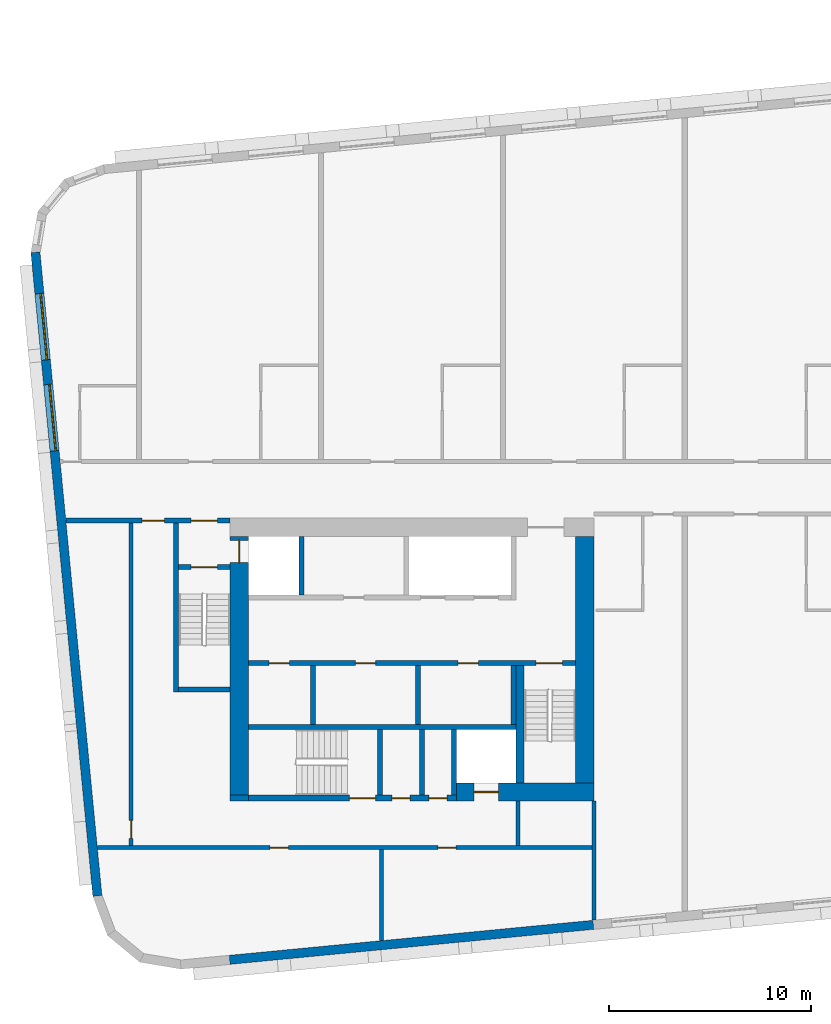
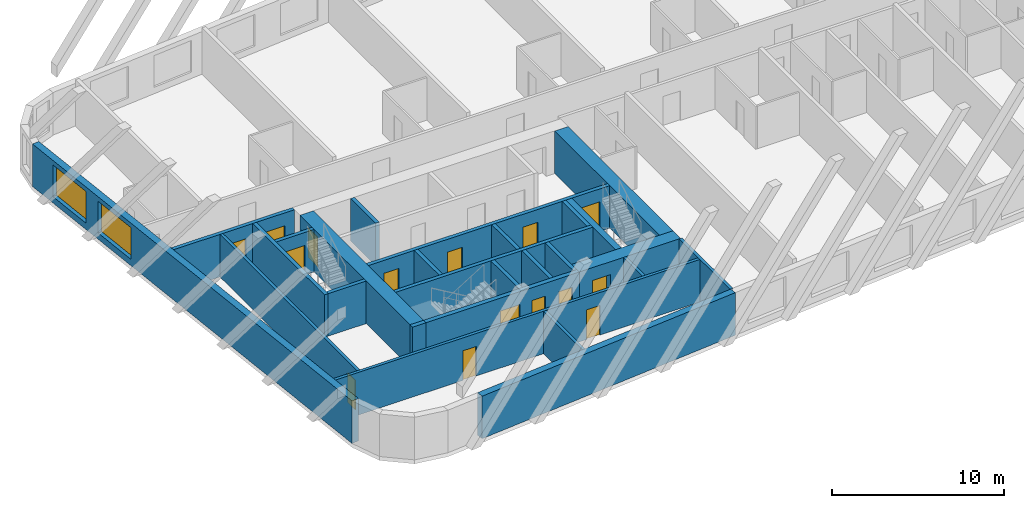
# One storey, part 2 of 12: 26 walls, 15 doors, 2 windows, 17 openings.
"""IFC4 building model written with IfcOpenShell, lengths in metres."""

import ifcopenshell
import ifcopenshell.guid

model = None  # the IFC model being written
_history = None  # IfcOwnerHistory: only IFC2X3 demands one
_inside = {}  # id of a spatial element -> (the spatial element, [elements in it])
_under = {}  # id of a project, library or spatial element -> (it, [spatial elements below it])
_declared = {}  # id of a project -> (the project, [libraries it declares])
_typed = {}  # id of a type object -> (the type object, [elements of that type])
_made_of = {}  # id of a material, layer set ... -> (it, [elements and type objects made of it])


def new_model(schema):
    """Start an empty IFC model of exactly this schema.

    Asked for "IFC4X3", IfcOpenShell would pick the latest addendum, in which some entities
    have other attributes; the version numbers below select the first issue.
    IFC2X3 requires an IfcOwnerHistory on every rooted entity: one is made here for all.
    """
    global model, _history
    if schema == "IFC4X3":
        model = ifcopenshell.file(schema_version=(4, 3, 0, 0))
    else:
        model = ifcopenshell.file(schema=schema)
    _inside.clear()
    _under.clear()
    _declared.clear()
    _typed.clear()
    _made_of.clear()
    _history = None
    if model.schema == "IFC2X3":
        org = make("IfcOrganization", Name="unknown")
        user = make(
            "IfcPersonAndOrganization",
            ThePerson=make("IfcPerson", FamilyName="unknown"),
            TheOrganization=org,
        )
        app = make(
            "IfcApplication",
            ApplicationDeveloper=org,
            Version="unknown",
            ApplicationFullName="unknown",
            ApplicationIdentifier="unknown",
        )
        _history = make(
            "IfcOwnerHistory",
            OwningUser=user,
            OwningApplication=app,
            ChangeAction="ADDED",
            CreationDate=0,
        )
    return model


def make(cls, **values):
    """One entity of the class cls with the attributes given. An attribute that is None is left unset."""
    return model.create_entity(
        cls, **{name: value for name, value in values.items() if value is not None}
    )


def rooted(cls, **values):
    """An entity with a GlobalId (a new one), such as an element, a storey or a relation."""
    return make(cls, GlobalId=ifcopenshell.guid.new(), OwnerHistory=_history, **values)


def si_unit(unit_type, name, prefix=None):
    """IfcSIUnit, for example si_unit("LENGTHUNIT", "METRE", prefix="MILLI")."""
    return make("IfcSIUnit", UnitType=unit_type, Prefix=prefix, Name=name)


def assignment(units):
    """IfcUnitAssignment: the units of a project."""
    return None if units is None else make("IfcUnitAssignment", Units=units)


def point(xyz):
    """IfcCartesianPoint."""
    return None if xyz is None else make("IfcCartesianPoint", Coordinates=xyz)


def direction(xyz):
    """IfcDirection."""
    return None if xyz is None else make("IfcDirection", DirectionRatios=xyz)


def frame(location, z_axis=None, x_axis=None):
    """IfcAxis2Placement3D, a coordinate frame: its origin and axes. An axis left out is left unset."""
    return make(
        "IfcAxis2Placement3D",
        Location=point(location),
        Axis=direction(z_axis),
        RefDirection=direction(x_axis),
    )


def frame_2d(location, x_axis=None):
    """IfcAxis2Placement2D, a coordinate frame in the plane: its origin and x axis."""
    return make(
        "IfcAxis2Placement2D", Location=point(location), RefDirection=direction(x_axis)
    )


def origin():
    """The frame at (0, 0, 0) with its axes left unset."""
    return frame((0.0, 0.0, 0.0))


def place(relative_to, where):
    """IfcLocalPlacement: puts the frame where relative to a parent placement (None: the world)."""
    return make(
        "IfcLocalPlacement", PlacementRelTo=relative_to, RelativePlacement=where
    )


def context(
    kind, dimensions, precision=None, world=None, true_north=None, identifier=None
):
    """IfcGeometricRepresentationContext, for example the 3D "Model" context."""
    return make(
        "IfcGeometricRepresentationContext",
        ContextIdentifier=identifier,
        ContextType=kind,
        CoordinateSpaceDimension=dimensions,
        Precision=precision,
        WorldCoordinateSystem=world,
        TrueNorth=true_north,
    )


def subcontext(parent, identifier, kind, view, scale=None):
    """IfcGeometricRepresentationSubContext, for example "Body" below "Model"."""
    return make(
        "IfcGeometricRepresentationSubContext",
        ContextIdentifier=identifier,
        ContextType=kind,
        ParentContext=parent,
        TargetScale=scale,
        TargetView=view,
    )


def project(units=None, contexts=None):
    """IfcProject with its units and contexts."""
    return rooted(
        "IfcProject",
        Name="project",
        RepresentationContexts=contexts,
        UnitsInContext=assignment(units),
    )


def spatial(cls, under=None, at=None, **own):
    """A site, building, storey or space (cls), placed at a placement, below another one or the project."""
    s = rooted(cls, ObjectPlacement=at, **own)
    if under is not None:
        _under.setdefault(under.id(), (under, []))[1].append(s)
    return s


def profile(cls, at=None, kind="AREA", **sizes):
    """A parametric profile (cls). Its sizes go by their IFC names, for example OverallWidth=200.0."""
    return make(cls, ProfileType=kind, Position=at, **sizes)


def rectangle(**sizes):
    """IfcRectangleProfileDef."""
    return profile("IfcRectangleProfileDef", **sizes)


def extrude(swept, where, along, depth):
    """IfcExtrudedAreaSolid: the profile swept, set in the frame where, extruded along a direction by depth."""
    return make(
        "IfcExtrudedAreaSolid",
        SweptArea=swept,
        Position=where,
        ExtrudedDirection=direction(along),
        Depth=depth,
    )


def shape(context_of_items, identifier, shape_type, items):
    """IfcShapeRepresentation: the items that make up one representation, for example the "Body"."""
    return make(
        "IfcShapeRepresentation",
        ContextOfItems=context_of_items,
        RepresentationIdentifier=identifier,
        RepresentationType=shape_type,
        Items=items,
    )


def material(Name=None, Category=None):
    """IfcMaterial."""
    return make("IfcMaterial", Name=Name, Category=Category)


def layer(
    of_material, thickness, ventilated=None, Name=None, Category=None, Priority=None
):
    """IfcMaterialLayer: one layer of a wall or slab, of a material (None: an air gap)."""
    return make(
        "IfcMaterialLayer",
        Material=of_material,
        LayerThickness=thickness,
        IsVentilated=ventilated,
        Name=Name,
        Category=Category,
        Priority=Priority,
    )


def layer_set(layers, Name=None):
    """IfcMaterialLayerSet."""
    return make("IfcMaterialLayerSet", MaterialLayers=layers, LayerSetName=Name)


def made_of(thing, what):
    """Note that an element or type object is made of a material, layer set ...; save() writes the relation."""
    if what is not None:
        _made_of.setdefault(what.id(), (what, []))[1].append(thing)
    return thing


def type_object(cls, material=None, **own):
    """A type object (cls), such as IfcWallType, which elements share."""
    return made_of(rooted(cls, **own), material)


def element(
    cls,
    number,
    at=None,
    inside=None,
    cuts=None,
    type_object=None,
    material=None,
    context=None,
    identifier="Body",
    shape_type=None,
    held_by="IfcProductDefinitionShape",
    body=None,
    shapes=None,
    **own,
):
    """One element of the class cls, such as IfcWall. Its Tag is "e" and its number.

    at: its placement. inside: the storey or other place that contains it. cuts: it is an
    opening in that element (IfcRelVoidsElement). A single representation is given by context,
    identifier, shape_type and body (its items); several are given by shapes. held_by: the class
    of the entity that holds the representations. save() writes the other relations.
    """
    e = rooted(cls, Tag="e%d" % number, ObjectPlacement=at, **own)
    if body is not None:
        shapes = [shape(context, identifier, shape_type, body)]
    if shapes is not None:
        e.Representation = make(held_by, Representations=shapes)
    if inside is not None:
        _inside.setdefault(inside.id(), (inside, []))[1].append(e)
    if cuts is not None:
        rooted(
            "IfcRelVoidsElement", RelatingBuildingElement=cuts, RelatedOpeningElement=e
        )
    if type_object is not None:
        _typed.setdefault(type_object.id(), (type_object, []))[1].append(e)
    return made_of(e, material)


def fill(opening, filler):
    """IfcRelFillsElement: the door or window that sits in an opening."""
    return rooted(
        "IfcRelFillsElement",
        RelatingOpeningElement=opening,
        RelatedBuildingElement=filler,
    )


def aggregate(whole, parts):
    """IfcRelAggregates: a whole, such as a stair, and the parts it consists of."""
    return rooted("IfcRelAggregates", RelatingObject=whole, RelatedObjects=parts)


def save(model, path):
    """Write the relations noted so far, then the file.

    IfcRelAggregates (storeys below a building ...), IfcRelContainedInSpatialStructure (elements
    in a storey), IfcRelDefinesByType, IfcRelAssociatesMaterial and IfcRelDeclares: one each for
    every whole, place, type object, material and project.
    """
    for whole, parts in _under.values():
        aggregate(whole, parts)
    for where, things in _inside.values():
        rooted(
            "IfcRelContainedInSpatialStructure",
            RelatedElements=things,
            RelatingStructure=where,
        )
    for kind, things in _typed.values():
        rooted("IfcRelDefinesByType", RelatedObjects=things, RelatingType=kind)
    for what, things in _made_of.values():
        rooted("IfcRelAssociatesMaterial", RelatedObjects=things, RelatingMaterial=what)
    for by, libraries in _declared.values():
        rooted("IfcRelDeclares", RelatingContext=by, RelatedDefinitions=libraries)
    model.write(path)


model = new_model("IFC4")

# Units and contexts
model_context = context("Model", 3, precision=1e-05, world=origin(), true_north=direction((0.0, 1.0)))
body_context = subcontext(model_context, "Body", "Model", "MODEL_VIEW")
ifc_project = project(units=[si_unit("LENGTHUNIT", "METRE"), si_unit("AREAUNIT", "SQUARE_METRE"), si_unit("VOLUMEUNIT", "CUBIC_METRE"), si_unit("PLANEANGLEUNIT", "RADIAN"), si_unit("MASSUNIT", "GRAM", prefix="KILO")], contexts=[model_context])

# Site, building, storey
site_placement = place(None, origin())
site = spatial("IfcSite", under=ifc_project, at=site_placement, CompositionType="ELEMENT")
building_placement = place(site_placement, origin())
building = spatial("IfcBuilding", under=site, at=building_placement, Name="Kajstack Hotel Tower", CompositionType="ELEMENT")
storey_placement = place(building_placement, frame((0.0, 0.0, 278.39990234375)))
storey = spatial("IfcBuildingStorey", under=building, at=storey_placement, Name="L69", CompositionType="ELEMENT", Elevation=278.39990234375)

# Wall, opening, door
ifc_material_1 = material(Name="Concrete C60/75", Category="concrete")
ifc_layer_1 = layer(ifc_material_1, 0.89990234375)
ifc_layer_set_1 = layer_set([ifc_layer_1], Name="Core wall 900")
wall_type_1 = type_object("IfcWallType", Name="Core wall 900", PredefinedType="SHEAR", material=ifc_layer_set_1)
wall_1_placement = place(storey_placement, frame((-20.300048828125, -15.050048828125, 0.0), z_axis=(0.0, 0.0, 1.0), x_axis=(1.0, 0.0, 0.0)))
wall_1 = element("IfcWall", 1, at=wall_1_placement, inside=storey, type_object=wall_type_1, Name="Core wall W RS", PredefinedType="SHEAR", context=body_context, shape_type="SweptSolid", body=[
    extrude(rectangle(XDim=6.800048828125, YDim=0.89990234375, at=frame_2d((3.39990234375, 0.0))), origin(), (0.0, 0.0, 1.0), 3.02001953125),
])
opening_1_placement = place(wall_1_placement, frame((0.875, 0.0, 0.0)))
opening_1 = element("IfcOpeningElement", 2, at=opening_1_placement, cuts=wall_1, Name="Opening LD-SV1", PredefinedType="OPENING", context=body_context, shape_type="SweptSolid", body=[
    extrude(rectangle(XDim=1.199951171875, YDim=2.10009765625, at=frame_2d((0.60009765625, 1.050048828125))), frame((0.0, 0.4599609375, 0.0), z_axis=(0.0, -1.0, 0.0), x_axis=(1.0, 0.0, 0.0)), (0.0, 0.0, 1.0), 0.919921875),
])
ifc_material_2 = material(Name="Stainless steel", Category="steel")
door_type_1 = type_object("IfcDoorType", Name="Lift landing door 1200", OperationType="SLIDING_TO_LEFT", PredefinedType="DOOR", material=ifc_material_2)
door_1_placement = place(opening_1_placement, origin())
door_1 = element("IfcDoor", 3, at=door_1_placement, inside=storey, type_object=door_type_1, Name="Landing door SV1", OperationType="SLIDING_TO_LEFT", OverallHeight=2.10009765625, OverallWidth=1.199951171875, PredefinedType="DOOR", context=body_context, shape_type="SweptSolid", body=[
    extrude(rectangle(XDim=1.199951171875, YDim=2.10009765625, at=frame_2d((0.60009765625, 1.050048828125))), frame((0.0, 0.02490234375, 0.0), z_axis=(0.0, -1.0, 0.0), x_axis=(1.0, 0.0, 0.0)), (0.0, 0.0, 1.0), 0.050048828125),
])
fill(opening_1, door_1)

# Wall
wall_2_placement = place(storey_placement, frame((-31.5, -15.35009765625, 0.0), z_axis=(0.0, 0.0, 1.0), x_axis=(1.0, 0.0, 0.0)))
element("IfcWall", 4, at=wall_2_placement, inside=storey, type_object=wall_type_1, Name="Core wall W RSW", PredefinedType="SHEAR", context=body_context, shape_type="SweptSolid", body=[
    extrude(rectangle(XDim=0.89990234375, YDim=0.300048828125, at=frame_2d((0.449951171875, 0.0))), origin(), (0.0, 0.0, 1.0), 3.02001953125),
])

# Wall, opening, door
wall_3_placement = place(storey_placement, frame((-31.050048828125, -15.199951171875, 0.0), z_axis=(0.0, 0.0, 1.0), x_axis=(0.0, 1.0, 0.0)))
wall_3 = element("IfcWall", 5, at=wall_3_placement, inside=storey, type_object=wall_type_1, Name="Core wall W RW", PredefinedType="SHEAR", context=body_context, shape_type="SweptSolid", body=[
    extrude(rectangle(XDim=12.800048828125, YDim=0.89990234375, at=frame_2d((6.39990234375, 0.0))), origin(), (0.0, 0.0, 1.0), 3.02001953125),
])
opening_2_placement = place(wall_3_placement, frame((11.5, 0.0, 0.0)))
opening_2 = element("IfcOpeningElement", 6, at=opening_2_placement, cuts=wall_3, Name="Opening LD-FF1", PredefinedType="OPENING", context=body_context, shape_type="SweptSolid", body=[
    extrude(rectangle(XDim=1.10009765625, YDim=2.10009765625, at=frame_2d((0.550048828125, 1.050048828125))), frame((0.0, 0.4599609375, 0.0), z_axis=(0.0, -1.0, 0.0), x_axis=(1.0, 0.0, 0.0)), (0.0, 0.0, 1.0), 0.919921875),
])
door_type_2 = type_object("IfcDoorType", Name="Fire-fighting lift landing door 1100", OperationType="SLIDING_TO_LEFT", PredefinedType="DOOR", material=ifc_material_2)
door_2_placement = place(opening_2_placement, origin())
door_2 = element("IfcDoor", 7, at=door_2_placement, inside=storey, type_object=door_type_2, Name="Landing door FF1", OperationType="SLIDING_TO_RIGHT", OverallHeight=2.10009765625, OverallWidth=1.10009765625, PredefinedType="DOOR", context=body_context, shape_type="SweptSolid", body=[
    extrude(rectangle(XDim=1.10009765625, YDim=2.10009765625, at=frame_2d((0.550048828125, 1.050048828125))), frame((0.0, 0.02490234375, 0.0), z_axis=(0.0, -1.0, 0.0), x_axis=(1.0, 0.0, 0.0)), (0.0, 0.0, 1.0), 0.050048828125),
])
fill(opening_2, door_2)

# Walls
wall_4_placement = place(storey_placement, frame((-13.949951171875, -14.60009765625, 0.0), z_axis=(0.0, 0.0, 1.0), x_axis=(0.0, 1.0, 0.0)))
element("IfcWall", 8, at=wall_4_placement, inside=storey, type_object=wall_type_1, Name="Core wall W RE", PredefinedType="SHEAR", context=body_context, shape_type="SweptSolid", body=[
    extrude(rectangle(XDim=12.2001953125, YDim=0.89990234375, at=frame_2d((6.10009765625, 0.0))), origin(), (0.0, 0.0, 1.0), 3.02001953125),
])
ifc_material_3 = material(Name="Twin-frame gypsum board on steel studs, mineral wool", Category="steel")
ifc_layer_2 = layer(ifc_material_3, 0.199951171875)
ifc_layer_set_2 = layer_set([ifc_layer_2], Name="Demising wall 200")
wall_type_2 = type_object("IfcWallType", Name="Demising wall 200", PredefinedType="PARTITIONING", material=ifc_layer_set_2)
wall_5_placement = place(storey_placement, frame((-13.5, -21.39599609375, 0.0), z_axis=(0.0, 0.0, 1.0), x_axis=(0.0, 1.0, 0.0)))
element("IfcWall", 9, at=wall_5_placement, inside=storey, type_object=wall_type_2, Name="G-wall-L69-002", PredefinedType="PARTITIONING", context=body_context, shape_type="SweptSolid", body=[
    extrude(rectangle(XDim=5.89599609375, YDim=0.199951171875, at=frame_2d((2.947998046875, 0.0))), origin(), (0.0, 0.0, 1.0), 3.02001953125),
])
ifc_material_4 = material(Name="Concrete C40/50", Category="concrete")
ifc_layer_3 = layer(ifc_material_4, 0.449951171875)
ifc_layer_set_3 = layer_set([ifc_layer_3], Name="EW-CORE")
wall_type_3 = type_object("IfcWallType", Name="EW-CORE", PredefinedType="SOLIDWALL", material=ifc_layer_set_3)
wall_6_placement = place(storey_placement, frame((-31.521484375, -23.357177734375, 0.0), z_axis=(0.0, 0.0, 1.0), x_axis=(0.995396454615, 0.095843091245, 0.0)))
element("IfcWall", 10, at=wall_6_placement, inside=storey, type_object=wall_type_3, Name="E-wall-L69-04-01", PredefinedType="SOLIDWALL", context=body_context, shape_type="SweptSolid", body=[
    extrude(rectangle(XDim=18.083251953125, YDim=0.449951171875, at=frame_2d((9.04150390625, 0.0))), origin(), (0.0, 0.0, 1.0), 3.02001953125),
])

# Wall, openings, windows
ifc_material_5 = material(Name="Terracotta-faced brick masonry", Category="masonry")
ifc_layer_4 = layer(ifc_material_5, 0.449951171875)
ifc_layer_set_4 = layer_set([ifc_layer_4], Name="EW-TERRA")
wall_type_4 = type_object("IfcWallType", Name="EW-TERRA", PredefinedType="SOLIDWALL", material=ifc_layer_set_4)
wall_7_placement = place(storey_placement, frame((-41.13232421875, 11.657958984375, 0.0), z_axis=(0.0, 0.0, 1.0), x_axis=(0.095847749461, -0.995396006082, 0.0)))
wall_7 = element("IfcWall", 11, at=wall_7_placement, inside=storey, type_object=wall_type_4, Name="E-wall-L69-00-00", PredefinedType="SOLIDWALL", context=body_context, shape_type="SweptSolid", body=[
    extrude(rectangle(XDim=32.0, YDim=0.449951171875, at=frame_2d((16.0, 0.0))), origin(), (0.0, 0.0, 1.0), 3.02001953125),
])
opening_3_placement = place(wall_7_placement, frame((2.053466796875, 0.0, 0.449951171875)))
opening_3 = element("IfcOpeningElement", 12, at=opening_3_placement, cuts=wall_7, Name="Opening W2", PredefinedType="OPENING", context=body_context, shape_type="SweptSolid", body=[
    extrude(rectangle(XDim=3.300048828125, YDim=2.25, at=frame_2d((1.64990234375, 1.125))), frame((0.0, 0.23486328125, 0.0), z_axis=(0.0, -1.0, 0.0), x_axis=(1.0, 0.0, 0.0)), (0.0, 0.0, 1.0), 0.469970703125),
])
opening_4_placement = place(wall_7_placement, frame((6.57421875, 0.0, 0.449951171875)))
opening_4 = element("IfcOpeningElement", 13, at=opening_4_placement, cuts=wall_7, Name="Opening W2", PredefinedType="OPENING", context=body_context, shape_type="SweptSolid", body=[
    extrude(rectangle(XDim=3.300048828125, YDim=2.25, at=frame_2d((1.64990234375, 1.125))), frame((0.0, 0.23486328125, 0.0), z_axis=(0.0, -1.0, 0.0), x_axis=(1.0, 0.0, 0.0)), (0.0, 0.0, 1.0), 0.469970703125),
])
ifc_material_6 = material(Name="Timber-aluminium window, triple glazed", Category="wood")
window_type = type_object("IfcWindowType", Name="WG2", PartitioningType="SINGLE_PANEL", PredefinedType="WINDOW", material=ifc_material_6)
window_1_placement = place(opening_3_placement, origin())
window_1 = element("IfcWindow", 14, at=window_1_placement, inside=storey, type_object=window_type, Name="Window W2 L69-00", OverallHeight=2.25, OverallWidth=3.300048828125, PartitioningType="SINGLE_PANEL", PredefinedType="WINDOW", context=body_context, shape_type="SweptSolid", body=[
    extrude(rectangle(XDim=3.300048828125, YDim=2.25, at=frame_2d((1.64990234375, 1.125))), frame((0.0, 0.090087890625, 0.0), z_axis=(0.0, -1.0, 0.0), x_axis=(1.0, 0.0, 0.0)), (0.0, 0.0, 1.0), 0.06005859375),
])
fill(opening_3, window_1)
window_2_placement = place(opening_4_placement, origin())
window_2 = element("IfcWindow", 15, at=window_2_placement, inside=storey, type_object=window_type, Name="Window W2 L69-00", OverallHeight=2.25, OverallWidth=3.300048828125, PartitioningType="SINGLE_PANEL", PredefinedType="WINDOW", context=body_context, shape_type="SweptSolid", body=[
    extrude(rectangle(XDim=3.300048828125, YDim=2.25, at=frame_2d((1.64990234375, 1.125))), frame((0.0, 0.090087890625, 0.0), z_axis=(0.0, -1.0, 0.0), x_axis=(1.0, 0.0, 0.0)), (0.0, 0.0, 1.0), 0.06005859375),
])
fill(opening_4, window_2)

# Walls
ifc_material_7 = material(Name="Concrete block masonry", Category="masonry")
ifc_layer_5 = layer(ifc_material_7, 0.25)
ifc_layer_set_5 = layer_set([ifc_layer_5], Name="Riser partition 250")
wall_type_5 = type_object("IfcWallType", Name="Riser partition 250", PredefinedType="PARTITIONING", material=ifc_layer_set_5)
for number, where, z_axis, x_axis, name in (
    (16, (-27.39990234375, -11.699951171875, 0.0), (0.0, 0.0, 1.0), (0.0, 1.0, 0.0), "Partition W BF0"),
    (17, (-22.199951171875, -11.699951171875, 0.0), (0.0, 0.0, 1.0), (0.0, 1.0, 0.0), "Partition W BF1"),
):
    element("IfcWall", number, at=place(storey_placement, frame(where, z_axis=z_axis, x_axis=x_axis)), inside=storey, type_object=wall_type_5, Name=name, PredefinedType="PARTITIONING", context=body_context, shape_type="SweptSolid", body=[
        extrude(rectangle(XDim=2.89990234375, YDim=0.25, at=frame_2d((1.449951171875, 0.0))), origin(), (0.0, 0.0, 1.0), 3.02001953125),
    ])
wall_8_placement = place(storey_placement, frame((-22.0, -15.199951171875, 0.0), z_axis=(0.0, 0.0, 1.0), x_axis=(0.0, 1.0, 0.0)))
element("IfcWall", 18, at=wall_8_placement, inside=storey, type_object=wall_type_5, Name="Partition W SZ0", PredefinedType="PARTITIONING", context=body_context, shape_type="SweptSolid", body=[
    extrude(rectangle(XDim=3.25, YDim=0.25, at=frame_2d((1.625, 0.0))), origin(), (0.0, 0.0, 1.0), 3.02001953125),
])

# Wall, openings, doors
ifc_material_8 = material(Name="Gypsum board on steel studs, mineral wool", Category="steel")
ifc_layer_6 = layer(ifc_material_8, 0.199951171875)
ifc_layer_set_6 = layer_set([ifc_layer_6], Name="Service partition 200")
wall_type_6 = type_object("IfcWallType", Name="Service partition 200", PredefinedType="PARTITIONING", material=ifc_layer_set_6)
wall_9_placement = place(storey_placement, frame((-39.627197265625, -1.625, 0.0), z_axis=(0.0, 0.0, 1.0), x_axis=(1.0, 0.0, 0.0)))
wall_9 = element("IfcWall", 19, at=wall_9_placement, inside=storey, type_object=wall_type_6, Name="Partition W SN", PredefinedType="PARTITIONING", context=body_context, shape_type="SweptSolid", body=[
    extrude(rectangle(XDim=8.127197265625, YDim=0.25, at=frame_2d((4.0634765625, 0.0))), origin(), (0.0, 0.0, 1.0), 3.02001953125),
])
opening_5_placement = place(wall_9_placement, frame((6.202392578125, 0.0, 0.0)))
opening_5 = element("IfcOpeningElement", 20, at=opening_5_placement, cuts=wall_9, Name="Opening 69W06", PredefinedType="OPENING", context=body_context, shape_type="SweptSolid", body=[
    extrude(rectangle(XDim=1.300048828125, YDim=2.10009765625, at=frame_2d((0.64990234375, 1.050048828125))), frame((0.0, 0.135009765625, 0.0), z_axis=(0.0, -1.0, 0.0), x_axis=(1.0, 0.0, 0.0)), (0.0, 0.0, 1.0), 0.27001953125),
])
opening_6_placement = place(wall_9_placement, frame((3.77734375, 0.0, 0.0)))
opening_6 = element("IfcOpeningElement", 21, at=opening_6_placement, cuts=wall_9, Name="Opening 69W08", PredefinedType="OPENING", context=body_context, shape_type="SweptSolid", body=[
    extrude(rectangle(XDim=1.10009765625, YDim=2.10009765625, at=frame_2d((0.550048828125, 1.050048828125))), frame((0.0, 0.135009765625, 0.0), z_axis=(0.0, -1.0, 0.0), x_axis=(1.0, 0.0, 0.0)), (0.0, 0.0, 1.0), 0.27001953125),
])
ifc_material_9 = material(Name="Steel leaf, fire-rated", Category="steel")
door_type_3 = type_object("IfcDoorType", Name="Fire lobby door 1300", OperationType="SINGLE_SWING_LEFT", PredefinedType="DOOR", material=ifc_material_9)
door_3_placement = place(opening_5_placement, origin())
door_3 = element("IfcDoor", 22, at=door_3_placement, inside=storey, type_object=door_type_3, Name="Door 69W06", OperationType="SINGLE_SWING_RIGHT", OverallHeight=2.10009765625, OverallWidth=1.300048828125, PredefinedType="DOOR", context=body_context, shape_type="SweptSolid", body=[
    extrude(rectangle(XDim=1.300048828125, YDim=2.10009765625, at=frame_2d((0.64990234375, 1.050048828125))), frame((0.0, 0.02490234375, 0.0), z_axis=(0.0, -1.0, 0.0), x_axis=(1.0, 0.0, 0.0)), (0.0, 0.0, 1.0), 0.050048828125),
])
fill(opening_5, door_3)
ifc_material_10 = material(Name="Timber leaf, fire-rated", Category="wood")
door_type_4 = type_object("IfcDoorType", Name="Service corridor door 1100", OperationType="SINGLE_SWING_LEFT", PredefinedType="DOOR", material=ifc_material_10)
door_4_placement = place(opening_6_placement, origin())
door_4 = element("IfcDoor", 23, at=door_4_placement, inside=storey, type_object=door_type_4, Name="Door 69W08", OperationType="SINGLE_SWING_RIGHT", OverallHeight=2.10009765625, OverallWidth=1.10009765625, PredefinedType="DOOR", context=body_context, shape_type="SweptSolid", body=[
    extrude(rectangle(XDim=1.10009765625, YDim=2.10009765625, at=frame_2d((0.550048828125, 1.050048828125))), frame((0.0, 0.02490234375, 0.0), z_axis=(0.0, -1.0, 0.0), x_axis=(1.0, 0.0, 0.0)), (0.0, 0.0, 1.0), 0.050048828125),
])
fill(opening_6, door_4)

# Wall
wall_10_placement = place(storey_placement, frame((-17.25, -17.699951171875, 0.0), z_axis=(0.0, 0.0, 1.0), x_axis=(0.0, 1.0, 0.0)))
element("IfcWall", 24, at=wall_10_placement, inside=storey, type_object=wall_type_6, Name="Partition W SCE", PredefinedType="PARTITIONING", context=body_context, shape_type="SweptSolid", body=[
    extrude(rectangle(XDim=2.199951171875, YDim=0.199951171875, at=frame_2d((1.10009765625, 0.0))), origin(), (0.0, 0.0, 1.0), 3.02001953125),
])

# Wall, opening, door
wall_11_placement = place(storey_placement, frame((-36.39990234375, -17.699951171875, 0.0), z_axis=(0.0, 0.0, 1.0), x_axis=(0.0, 1.0, 0.0)))
wall_11 = element("IfcWall", 25, at=wall_11_placement, inside=storey, type_object=wall_type_6, Name="Partition W WRE", PredefinedType="PARTITIONING", context=body_context, shape_type="SweptSolid", body=[
    extrude(rectangle(XDim=15.949951171875, YDim=0.199951171875, at=frame_2d((7.97509765625, 0.0))), origin(), (0.0, 0.0, 1.0), 3.02001953125),
])
opening_7_placement = place(wall_11_placement, frame((0.35009765625, 0.0, 0.0)))
opening_7 = element("IfcOpeningElement", 26, at=opening_7_placement, cuts=wall_11, Name="Opening 69W19", PredefinedType="OPENING", context=body_context, shape_type="SweptSolid", body=[
    extrude(rectangle(XDim=0.89990234375, YDim=2.10009765625, at=frame_2d((0.449951171875, 1.050048828125))), frame((0.0, 0.10986328125, 0.0), z_axis=(0.0, -1.0, 0.0), x_axis=(1.0, 0.0, 0.0)), (0.0, 0.0, 1.0), 0.219970703125),
])
door_type_5 = type_object("IfcDoorType", Name="Service door 900", OperationType="SINGLE_SWING_LEFT", PredefinedType="DOOR", material=ifc_material_10)
door_5_placement = place(opening_7_placement, origin())
door_5 = element("IfcDoor", 27, at=door_5_placement, inside=storey, type_object=door_type_5, Name="Door 69W19", OperationType="SINGLE_SWING_LEFT", OverallHeight=2.10009765625, OverallWidth=0.89990234375, PredefinedType="DOOR", context=body_context, shape_type="SweptSolid", body=[
    extrude(rectangle(XDim=0.89990234375, YDim=2.10009765625, at=frame_2d((0.449951171875, 1.050048828125))), frame((0.0, 0.02490234375, 0.0), z_axis=(0.0, -1.0, 0.0), x_axis=(1.0, 0.0, 0.0)), (0.0, 0.0, 1.0), 0.050048828125),
])
fill(opening_7, door_5)

# Wall, openings, doors
wall_12_placement = place(storey_placement, frame((-38.06982421875, -17.800048828125, 0.0), z_axis=(0.0, 0.0, 1.0), x_axis=(1.0, 0.0, 0.0)))
wall_12 = element("IfcWall", 28, at=wall_12_placement, inside=storey, type_object=wall_type_6, Name="Partition W SLN", PredefinedType="PARTITIONING", context=body_context, shape_type="SweptSolid", body=[
    extrude(rectangle(XDim=24.4697265625, YDim=0.199951171875, at=frame_2d((12.23486328125, 0.0))), origin(), (0.0, 0.0, 1.0), 3.02001953125),
])
opening_8_placement = place(wall_12_placement, frame((8.557373046875, 0.0, 0.0)))
opening_8 = element("IfcOpeningElement", 29, at=opening_8_placement, cuts=wall_12, Name="Opening 69W17", PredefinedType="OPENING", context=body_context, shape_type="SweptSolid", body=[
    extrude(rectangle(XDim=0.89990234375, YDim=2.10009765625, at=frame_2d((0.449951171875, 1.050048828125))), frame((0.0, 0.10986328125, 0.0), z_axis=(0.0, -1.0, 0.0), x_axis=(1.0, 0.0, 0.0)), (0.0, 0.0, 1.0), 0.219970703125),
])
opening_9_placement = place(wall_12_placement, frame((16.857421875, 0.0, 0.0)))
opening_9 = element("IfcOpeningElement", 30, at=opening_9_placement, cuts=wall_12, Name="Opening 69W18", PredefinedType="OPENING", context=body_context, shape_type="SweptSolid", body=[
    extrude(rectangle(XDim=0.89990234375, YDim=2.10009765625, at=frame_2d((0.449951171875, 1.050048828125))), frame((0.0, 0.10986328125, 0.0), z_axis=(0.0, -1.0, 0.0), x_axis=(1.0, 0.0, 0.0)), (0.0, 0.0, 1.0), 0.219970703125),
])
door_6_placement = place(opening_8_placement, origin())
door_6 = element("IfcDoor", 31, at=door_6_placement, inside=storey, type_object=door_type_5, Name="Door 69W17", OperationType="SINGLE_SWING_RIGHT", OverallHeight=2.10009765625, OverallWidth=0.89990234375, PredefinedType="DOOR", context=body_context, shape_type="SweptSolid", body=[
    extrude(rectangle(XDim=0.89990234375, YDim=2.10009765625, at=frame_2d((0.449951171875, 1.050048828125))), frame((0.0, 0.02490234375, 0.0), z_axis=(0.0, -1.0, 0.0), x_axis=(1.0, 0.0, 0.0)), (0.0, 0.0, 1.0), 0.050048828125),
])
fill(opening_8, door_6)
door_7_placement = place(opening_9_placement, origin())
door_7 = element("IfcDoor", 32, at=door_7_placement, inside=storey, type_object=door_type_5, Name="Door 69W18", OperationType="SINGLE_SWING_RIGHT", OverallHeight=2.10009765625, OverallWidth=0.89990234375, PredefinedType="DOOR", context=body_context, shape_type="SweptSolid", body=[
    extrude(rectangle(XDim=0.89990234375, YDim=2.10009765625, at=frame_2d((0.449951171875, 1.050048828125))), frame((0.0, 0.02490234375, 0.0), z_axis=(0.0, -1.0, 0.0), x_axis=(1.0, 0.0, 0.0)), (0.0, 0.0, 1.0), 0.050048828125),
])
fill(opening_9, door_7)

# Wall
wall_13_placement = place(storey_placement, frame((-24.0, -22.407958984375, 0.0), z_axis=(0.0, 0.0, 1.0), x_axis=(0.0, 1.0, 0.0)))
element("IfcWall", 33, at=wall_13_placement, inside=storey, type_object=wall_type_6, Name="Partition W SLP0", PredefinedType="PARTITIONING", context=body_context, shape_type="SweptSolid", body=[
    extrude(rectangle(XDim=4.508056640625, YDim=0.199951171875, at=frame_2d((2.25390625, 0.0))), origin(), (0.0, 0.0, 1.0), 3.02001953125),
])

# Wall, openings, doors
ifc_material_11 = material(Name="Concrete C50/60", Category="concrete")
ifc_layer_7 = layer(ifc_material_11, 0.25)
ifc_layer_set_7 = layer_set([ifc_layer_7], Name="Shaft wall 250")
wall_type_7 = type_object("IfcWallType", Name="Shaft wall 250", PredefinedType="SHEAR", material=ifc_layer_set_7)
wall_14_placement = place(storey_placement, frame((-30.60009765625, -15.35009765625, 0.0), z_axis=(0.0, 0.0, 1.0), x_axis=(1.0, 0.0, 0.0)))
wall_14 = element("IfcWall", 34, at=wall_14_placement, inside=storey, type_object=wall_type_7, Name="Core wall W RSS", PredefinedType="SHEAR", context=body_context, shape_type="SweptSolid", body=[
    extrude(rectangle(XDim=10.300048828125, YDim=0.300048828125, at=frame_2d((5.14990234375, 0.0))), origin(), (0.0, 0.0, 1.0), 3.02001953125),
])
opening_10_placement = place(wall_14_placement, frame((5.0, 0.0, 0.0)))
opening_10 = element("IfcOpeningElement", 35, at=opening_10_placement, cuts=wall_14, Name="Opening 69W10", PredefinedType="OPENING", context=body_context, shape_type="SweptSolid", body=[
    extrude(rectangle(XDim=1.300048828125, YDim=2.10009765625, at=frame_2d((0.64990234375, 1.050048828125))), frame((0.0, 0.159912109375, 0.0), z_axis=(0.0, -1.0, 0.0), x_axis=(1.0, 0.0, 0.0)), (0.0, 0.0, 1.0), 0.320068359375),
])
opening_11_placement = place(wall_14_placement, frame((7.112548828125, 0.0, 0.0)))
opening_11 = element("IfcOpeningElement", 36, at=opening_11_placement, cuts=wall_14, Name="Opening 69W11", PredefinedType="OPENING", context=body_context, shape_type="SweptSolid", body=[
    extrude(rectangle(XDim=0.89990234375, YDim=2.10009765625, at=frame_2d((0.449951171875, 1.050048828125))), frame((0.0, 0.159912109375, 0.0), z_axis=(0.0, -1.0, 0.0), x_axis=(1.0, 0.0, 0.0)), (0.0, 0.0, 1.0), 0.320068359375),
])
opening_12_placement = place(wall_14_placement, frame((8.9375, 0.0, 0.0)))
opening_12 = element("IfcOpeningElement", 37, at=opening_12_placement, cuts=wall_14, Name="Opening 69W12", PredefinedType="OPENING", context=body_context, shape_type="SweptSolid", body=[
    extrude(rectangle(XDim=0.89990234375, YDim=2.10009765625, at=frame_2d((0.449951171875, 1.050048828125))), frame((0.0, 0.159912109375, 0.0), z_axis=(0.0, -1.0, 0.0), x_axis=(1.0, 0.0, 0.0)), (0.0, 0.0, 1.0), 0.320068359375),
])
door_8_placement = place(opening_11_placement, origin())
door_8 = element("IfcDoor", 38, at=door_8_placement, inside=storey, type_object=door_type_5, Name="Door 69W11", OperationType="SINGLE_SWING_LEFT", OverallHeight=2.10009765625, OverallWidth=0.89990234375, PredefinedType="DOOR", context=body_context, shape_type="SweptSolid", body=[
    extrude(rectangle(XDim=0.89990234375, YDim=2.10009765625, at=frame_2d((0.449951171875, 1.050048828125))), frame((0.0, 0.02490234375, 0.0), z_axis=(0.0, -1.0, 0.0), x_axis=(1.0, 0.0, 0.0)), (0.0, 0.0, 1.0), 0.050048828125),
])
fill(opening_11, door_8)
door_9_placement = place(opening_12_placement, origin())
door_9 = element("IfcDoor", 39, at=door_9_placement, inside=storey, type_object=door_type_5, Name="Door 69W12", OperationType="SINGLE_SWING_LEFT", OverallHeight=2.10009765625, OverallWidth=0.89990234375, PredefinedType="DOOR", context=body_context, shape_type="SweptSolid", body=[
    extrude(rectangle(XDim=0.89990234375, YDim=2.10009765625, at=frame_2d((0.449951171875, 1.050048828125))), frame((0.0, 0.02490234375, 0.0), z_axis=(0.0, -1.0, 0.0), x_axis=(1.0, 0.0, 0.0)), (0.0, 0.0, 1.0), 0.050048828125),
])
fill(opening_12, door_9)
door_type_6 = type_object("IfcDoorType", Name="Stair door 1300", OperationType="SINGLE_SWING_LEFT", PredefinedType="DOOR", material=ifc_material_9)
door_10_placement = place(opening_10_placement, origin())
door_10 = element("IfcDoor", 40, at=door_10_placement, inside=storey, type_object=door_type_6, Name="Door 69W10", OperationType="SINGLE_SWING_RIGHT", OverallHeight=2.10009765625, OverallWidth=1.300048828125, PredefinedType="DOOR", context=body_context, shape_type="SweptSolid", body=[
    extrude(rectangle(XDim=1.300048828125, YDim=2.10009765625, at=frame_2d((0.64990234375, 1.050048828125))), frame((0.0, 0.02490234375, 0.0), z_axis=(0.0, -1.0, 0.0), x_axis=(1.0, 0.0, 0.0)), (0.0, 0.0, 1.0), 0.050048828125),
])
fill(opening_10, door_10)

# Wall
wall_15_placement = place(storey_placement, frame((-27.97509765625, -5.300048828125, 0.0), z_axis=(0.0, 0.0, 1.0), x_axis=(0.0, 1.0, 0.0)))
element("IfcWall", 41, at=wall_15_placement, inside=storey, type_object=wall_type_7, Name="Core wall W AP0", PredefinedType="SHEAR", context=body_context, shape_type="SweptSolid", body=[
    extrude(rectangle(XDim=2.900146484375, YDim=0.25, at=frame_2d((1.4501953125, 0.0))), origin(), (0.0, 0.0, 1.0), 3.02001953125),
])

# Wall, openings, doors
wall_16_placement = place(storey_placement, frame((-30.60009765625, -8.675048828125, 0.0), z_axis=(0.0, 0.0, 1.0), x_axis=(1.0, 0.0, 0.0)))
wall_16 = element("IfcWall", 42, at=wall_16_placement, inside=storey, type_object=wall_type_7, Name="Core wall W FB", PredefinedType="SHEAR", context=body_context, shape_type="SweptSolid", body=[
    extrude(rectangle(XDim=16.2001953125, YDim=0.25, at=frame_2d((8.10009765625, 0.0))), origin(), (0.0, 0.0, 1.0), 3.02001953125),
])
opening_13_placement = place(wall_16_placement, frame((14.25, 0.0, 0.0)))
opening_13 = element("IfcOpeningElement", 43, at=opening_13_placement, cuts=wall_16, Name="Opening 69W09", PredefinedType="OPENING", context=body_context, shape_type="SweptSolid", body=[
    extrude(rectangle(XDim=1.300048828125, YDim=2.10009765625, at=frame_2d((0.64990234375, 1.050048828125))), frame((0.0, 0.135009765625, 0.0), z_axis=(0.0, -1.0, 0.0), x_axis=(1.0, 0.0, 0.0)), (0.0, 0.0, 1.0), 0.27001953125),
])
opening_14_placement = place(wall_16_placement, frame((1.03759765625, 0.0, 0.0)))
opening_14 = element("IfcOpeningElement", 44, at=opening_14_placement, cuts=wall_16, Name="Opening 69W13", PredefinedType="OPENING", context=body_context, shape_type="SweptSolid", body=[
    extrude(rectangle(XDim=1.0, YDim=2.10009765625, at=frame_2d((0.5, 1.050048828125))), frame((0.0, 0.135009765625, 0.0), z_axis=(0.0, -1.0, 0.0), x_axis=(1.0, 0.0, 0.0)), (0.0, 0.0, 1.0), 0.27001953125),
])
opening_15_placement = place(wall_16_placement, frame((5.300048828125, 0.0, 0.0)))
opening_15 = element("IfcOpeningElement", 45, at=opening_15_placement, cuts=wall_16, Name="Opening 69W14", PredefinedType="OPENING", context=body_context, shape_type="SweptSolid", body=[
    extrude(rectangle(XDim=1.0, YDim=2.10009765625, at=frame_2d((0.5, 1.050048828125))), frame((0.0, 0.135009765625, 0.0), z_axis=(0.0, -1.0, 0.0), x_axis=(1.0, 0.0, 0.0)), (0.0, 0.0, 1.0), 0.27001953125),
])
opening_16_placement = place(wall_16_placement, frame((10.387451171875, 0.0, 0.0)))
opening_16 = element("IfcOpeningElement", 46, at=opening_16_placement, cuts=wall_16, Name="Opening 69W15", PredefinedType="OPENING", context=body_context, shape_type="SweptSolid", body=[
    extrude(rectangle(XDim=1.0, YDim=2.10009765625, at=frame_2d((0.5, 1.050048828125))), frame((0.0, 0.135009765625, 0.0), z_axis=(0.0, -1.0, 0.0), x_axis=(1.0, 0.0, 0.0)), (0.0, 0.0, 1.0), 0.27001953125),
])
door_type_7 = type_object("IfcDoorType", Name="Service room door 1000", OperationType="SINGLE_SWING_LEFT", PredefinedType="DOOR", material=ifc_material_10)
door_11_placement = place(opening_14_placement, origin())
door_11 = element("IfcDoor", 47, at=door_11_placement, inside=storey, type_object=door_type_7, Name="Door 69W13", OperationType="SINGLE_SWING_RIGHT", OverallHeight=2.10009765625, OverallWidth=1.0, PredefinedType="DOOR", context=body_context, shape_type="SweptSolid", body=[
    extrude(rectangle(XDim=1.0, YDim=2.10009765625, at=frame_2d((0.5, 1.050048828125))), frame((0.0, 0.02490234375, 0.0), z_axis=(0.0, -1.0, 0.0), x_axis=(1.0, 0.0, 0.0)), (0.0, 0.0, 1.0), 0.050048828125),
])
fill(opening_14, door_11)
door_12_placement = place(opening_15_placement, origin())
door_12 = element("IfcDoor", 48, at=door_12_placement, inside=storey, type_object=door_type_7, Name="Door 69W14", OperationType="SINGLE_SWING_RIGHT", OverallHeight=2.10009765625, OverallWidth=1.0, PredefinedType="DOOR", context=body_context, shape_type="SweptSolid", body=[
    extrude(rectangle(XDim=1.0, YDim=2.10009765625, at=frame_2d((0.5, 1.050048828125))), frame((0.0, 0.02490234375, 0.0), z_axis=(0.0, -1.0, 0.0), x_axis=(1.0, 0.0, 0.0)), (0.0, 0.0, 1.0), 0.050048828125),
])
fill(opening_15, door_12)
door_13_placement = place(opening_16_placement, origin())
door_13 = element("IfcDoor", 49, at=door_13_placement, inside=storey, type_object=door_type_7, Name="Door 69W15", OperationType="SINGLE_SWING_RIGHT", OverallHeight=2.10009765625, OverallWidth=1.0, PredefinedType="DOOR", context=body_context, shape_type="SweptSolid", body=[
    extrude(rectangle(XDim=1.0, YDim=2.10009765625, at=frame_2d((0.5, 1.050048828125))), frame((0.0, 0.02490234375, 0.0), z_axis=(0.0, -1.0, 0.0), x_axis=(1.0, 0.0, 0.0)), (0.0, 0.0, 1.0), 0.050048828125),
])
fill(opening_16, door_13)
door_14_placement = place(opening_13_placement, origin())
door_14 = element("IfcDoor", 50, at=door_14_placement, inside=storey, type_object=door_type_6, Name="Door 69W09", OperationType="SINGLE_SWING_RIGHT", OverallHeight=2.10009765625, OverallWidth=1.300048828125, PredefinedType="DOOR", context=body_context, shape_type="SweptSolid", body=[
    extrude(rectangle(XDim=1.300048828125, YDim=2.10009765625, at=frame_2d((0.64990234375, 1.050048828125))), frame((0.0, 0.02490234375, 0.0), z_axis=(0.0, -1.0, 0.0), x_axis=(1.0, 0.0, 0.0)), (0.0, 0.0, 1.0), 0.050048828125),
])
fill(opening_13, door_14)

# Walls
wall_17_placement = place(storey_placement, frame((-30.60009765625, -11.824951171875, 0.0), z_axis=(0.0, 0.0, 1.0), x_axis=(1.0, 0.0, 0.0)))
element("IfcWall", 51, at=wall_17_placement, inside=storey, type_object=wall_type_7, Name="Core wall W RB", PredefinedType="SHEAR", context=body_context, shape_type="SweptSolid", body=[
    extrude(rectangle(XDim=13.25, YDim=0.25, at=frame_2d((6.625, 0.0))), origin(), (0.0, 0.0, 1.0), 3.02001953125),
])
wall_18_placement = place(storey_placement, frame((-17.47509765625, -11.699951171875, 0.0), z_axis=(0.0, 0.0, 1.0), x_axis=(0.0, 1.0, 0.0)))
element("IfcWall", 52, at=wall_18_placement, inside=storey, type_object=wall_type_7, Name="Core wall W BE", PredefinedType="SHEAR", context=body_context, shape_type="SweptSolid", body=[
    extrude(rectangle(XDim=2.89990234375, YDim=0.25, at=frame_2d((1.449951171875, 0.0))), origin(), (0.0, 0.0, 1.0), 3.02001953125),
])
wall_19_placement = place(storey_placement, frame((-20.425048828125, -15.199951171875, 0.0), z_axis=(0.0, 0.0, 1.0), x_axis=(0.0, 1.0, 0.0)))
element("IfcWall", 53, at=wall_19_placement, inside=storey, type_object=wall_type_7, Name="Core wall W SVW", PredefinedType="SHEAR", context=body_context, shape_type="SweptSolid", body=[
    extrude(rectangle(XDim=3.25, YDim=0.25, at=frame_2d((1.625, 0.0))), origin(), (0.0, 0.0, 1.0), 3.02001953125),
])

# Wall, opening, door
ifc_layer_8 = layer(ifc_material_4, 0.25)
ifc_layer_set_8 = layer_set([ifc_layer_8], Name="Stair enclosure wall 250")
wall_type_8 = type_object("IfcWallType", Name="Stair enclosure wall 250", PredefinedType="SHEAR", material=ifc_layer_set_8)
wall_20_placement = place(storey_placement, frame((-34.050048828125, -3.925048828125, 0.0), z_axis=(0.0, 0.0, 1.0), x_axis=(1.0, 0.0, 0.0)))
wall_20 = element("IfcWall", 54, at=wall_20_placement, inside=storey, type_object=wall_type_8, Name="Core wall W W1N", PredefinedType="SHEAR", context=body_context, shape_type="SweptSolid", body=[
    extrude(rectangle(XDim=2.550048828125, YDim=0.25, at=frame_2d((1.27490234375, 0.0))), origin(), (0.0, 0.0, 1.0), 3.02001953125),
])
opening_17_placement = place(wall_20_placement, frame((0.625, 0.0, 0.0)))
opening_17 = element("IfcOpeningElement", 55, at=opening_17_placement, cuts=wall_20, Name="Opening 69W07", PredefinedType="OPENING", context=body_context, shape_type="SweptSolid", body=[
    extrude(rectangle(XDim=1.300048828125, YDim=2.10009765625, at=frame_2d((0.64990234375, 1.050048828125))), frame((0.0, 0.135009765625, 0.0), z_axis=(0.0, -1.0, 0.0), x_axis=(1.0, 0.0, 0.0)), (0.0, 0.0, 1.0), 0.27001953125),
])
door_15_placement = place(opening_17_placement, origin())
door_15 = element("IfcDoor", 56, at=door_15_placement, inside=storey, type_object=door_type_6, Name="Door 69W07", OperationType="SINGLE_SWING_RIGHT", OverallHeight=2.10009765625, OverallWidth=1.300048828125, PredefinedType="DOOR", context=body_context, shape_type="SweptSolid", body=[
    extrude(rectangle(XDim=1.300048828125, YDim=2.10009765625, at=frame_2d((0.64990234375, 1.050048828125))), frame((0.0, 0.02490234375, 0.0), z_axis=(0.0, -1.0, 0.0), x_axis=(1.0, 0.0, 0.0)), (0.0, 0.0, 1.0), 0.050048828125),
])
fill(opening_17, door_15)

# Walls
wall_21_placement = place(storey_placement, frame((-34.175048828125, -10.10009765625, 0.0), z_axis=(0.0, 0.0, 1.0), x_axis=(0.0, 1.0, 0.0)))
element("IfcWall", 57, at=wall_21_placement, inside=storey, type_object=wall_type_8, Name="Core wall W W1W", PredefinedType="SHEAR", context=body_context, shape_type="SweptSolid", body=[
    extrude(rectangle(XDim=8.35009765625, YDim=0.25, at=frame_2d((4.175048828125, 0.0))), origin(), (0.0, 0.0, 1.0), 3.02001953125),
])
wall_22_placement = place(storey_placement, frame((-34.050048828125, -9.97509765625, 0.0), z_axis=(0.0, 0.0, 1.0), x_axis=(1.0, 0.0, 0.0)))
element("IfcWall", 58, at=wall_22_placement, inside=storey, type_object=wall_type_8, Name="Core wall W W1S", PredefinedType="SHEAR", context=body_context, shape_type="SweptSolid", body=[
    extrude(rectangle(XDim=2.550048828125, YDim=0.25, at=frame_2d((1.27490234375, 0.0))), origin(), (0.0, 0.0, 1.0), 3.02001953125),
])
ifc_layer_9 = layer(ifc_material_11, 0.35009765625)
ifc_layer_set_9 = layer_set([ifc_layer_9], Name="Stair enclosure wall 350")
wall_type_9 = type_object("IfcWallType", Name="Stair enclosure wall 350", PredefinedType="SHEAR", material=ifc_layer_set_9)
wall_23_placement = place(storey_placement, frame((-24.074951171875, -15.199951171875, 0.0), z_axis=(0.0, 0.0, 1.0), x_axis=(0.0, 1.0, 0.0)))
element("IfcWall", 59, at=wall_23_placement, inside=storey, type_object=wall_type_9, Name="Core wall W W3E", PredefinedType="SHEAR", context=body_context, shape_type="SweptSolid", body=[
    extrude(rectangle(XDim=3.25, YDim=0.25, at=frame_2d((1.625, 0.0))), origin(), (0.0, 0.0, 1.0), 3.02001953125),
])
ifc_layer_10 = layer(ifc_material_11, 0.39990234375)
ifc_layer_set_10 = layer_set([ifc_layer_10], Name="Stair wall 400")
wall_type_10 = type_object("IfcWallType", Name="Stair wall 400", PredefinedType="SHEAR", material=ifc_layer_set_10)
wall_24_placement = place(storey_placement, frame((-17.14990234375, -14.60009765625, 0.0), z_axis=(0.0, 0.0, 1.0), x_axis=(0.0, 1.0, 0.0)))
element("IfcWall", 60, at=wall_24_placement, inside=storey, type_object=wall_type_10, Name="Core wall W WW2", PredefinedType="SHEAR", context=body_context, shape_type="SweptSolid", body=[
    extrude(rectangle(XDim=5.800048828125, YDim=0.39990234375, at=frame_2d((2.89990234375, 0.0))), origin(), (0.0, 0.0, 1.0), 3.02001953125),
])

save(model, "model.ifc")
